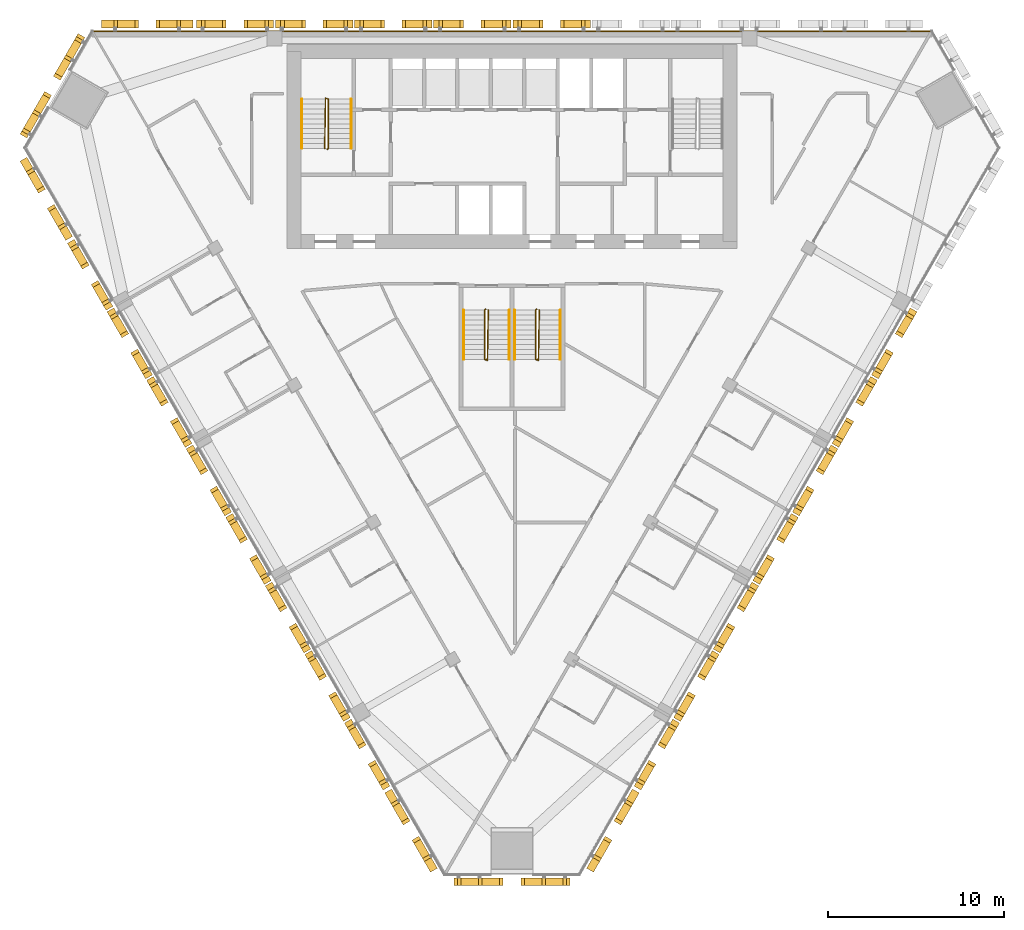
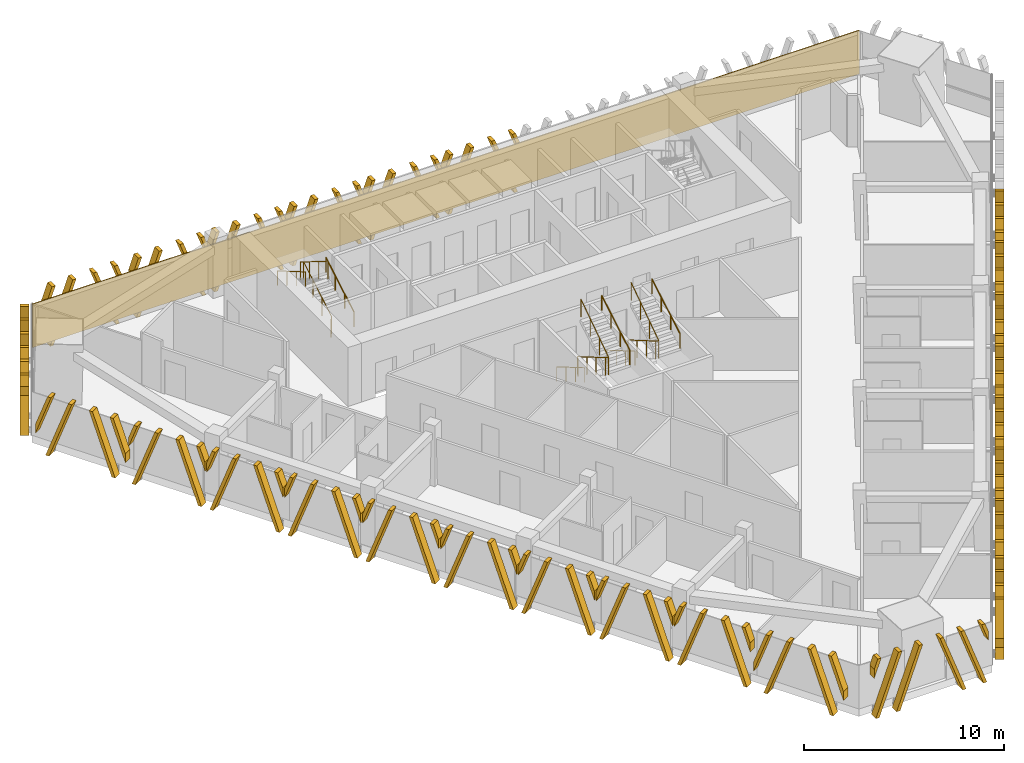
# One storey, part 14 of 16: 26 shading devices, 9 railings, 1 covering.
"""IFC4 building model written with IfcOpenShell, lengths in metres."""

from ifc_helpers import new_model, si_unit, direction, frame, frame_2d, origin, origin_2d, place, context, subcontext, project, spatial, polyline, rectangle, circle, outline, extrude, source, transform, mapped, material, layer, layer_set, type_object, element, save


model = new_model("IFC4")

# Units and contexts
model_context = context("Model", 3, precision=1e-05, world=origin(), true_north=direction((0.0, 1.0)))
body_context = subcontext(model_context, "Body", "Model", "MODEL_VIEW")
ifc_project = project(units=[si_unit("LENGTHUNIT", "METRE"), si_unit("AREAUNIT", "SQUARE_METRE"), si_unit("VOLUMEUNIT", "CUBIC_METRE"), si_unit("PLANEANGLEUNIT", "RADIAN"), si_unit("MASSUNIT", "GRAM", prefix="KILO")], contexts=[model_context])

# Site, building, storey
site_placement = place(None, origin())
site = spatial("IfcSite", under=ifc_project, at=site_placement, CompositionType="ELEMENT")
building_placement = place(site_placement, origin())
building = spatial("IfcBuilding", under=site, at=building_placement, Name="Altiplano Prism Tower", CompositionType="ELEMENT")
storey_placement = place(building_placement, frame((0.0, 0.0, 135.0)))
storey = spatial("IfcBuildingStorey", under=building, at=storey_placement, Name="L34", CompositionType="ELEMENT", Elevation=135.0)

# Railings
ifc_material_1 = material(Name="Steel S355", Category="steel")
railing_type_1 = type_object("IfcRailingType", Name="Stair guard 1100", PredefinedType="GUARDRAIL", material=ifc_material_1)
railing_1_placement = place(storey_placement, frame((74.5, 98.25, 0.0)))
element("IfcRailing", 1, at=railing_1_placement, inside=storey, type_object=railing_type_1, Name="L34 ST1 stair guard 1", PredefinedType="GUARDRAIL", context=body_context, shape_type="SweptSolid", body=[
    extrude(circle(Radius=0.02392578125, at=origin_2d()), frame((0.0, 0.0, 1.076171875), z_axis=(0.280808744504, 0.280808744504, 0.917765164963), x_axis=(-0.707106781187, 0.707106781187, 0.0)), (0.0, 0.0, 1.0), 0.17822265625),
    extrude(circle(Radius=0.02392578125, at=origin_2d()), frame((0.050048828125, 0.050048828125, 1.23974609375), z_axis=(0.0, 0.863360870873, 0.504586966384), x_axis=(-1.0, 0.0, 0.0)), (0.0, 0.0, 1.0), 3.2431640625),
    extrude(circle(Radius=0.02392578125, at=origin_2d()), frame((0.050048828125, 2.85009765625, 2.8759765625), z_axis=(-0.949145278916, 0.314838433982, 0.0), x_axis=(-0.314838433982, -0.949145278916, 0.0)), (0.0, 0.0, 1.0), 0.158203125),
    extrude(circle(Radius=0.02392578125, at=origin_2d()), frame((-0.10009765625, 2.89990234375, 2.8759765625), z_axis=(-0.01477401265, -0.845377694409, 0.533964682676), x_axis=(0.999847325713, -0.01747355902, 0.0)), (0.0, 0.0, 1.0), 3.37109375),
    extrude(circle(Radius=0.02099609375, at=origin_2d()), origin(), (0.0, 0.0, 1.0), 1.052001953125),
    extrude(circle(Radius=0.02099609375, at=origin_2d()), frame((0.050048828125, 0.050048828125, 0.16357421875)), (0.0, 0.0, 1.0), 1.052001953125),
    extrude(circle(Radius=0.02099609375, at=origin_2d()), frame((0.050048828125, 0.9833984375, 0.708984375)), (0.0, 0.0, 1.0), 1.052001953125),
    extrude(circle(Radius=0.02099609375, at=origin_2d()), frame((0.050048828125, 1.916748046875, 1.254638671875)), (0.0, 0.0, 1.0), 1.052001953125),
    extrude(circle(Radius=0.02099609375, at=origin_2d()), frame((0.050048828125, 2.85009765625, 1.800048828125)), (0.0, 0.0, 1.0), 1.052001953125),
    extrude(circle(Radius=0.02099609375, at=origin_2d()), frame((-0.10009765625, 2.89990234375, 1.800048828125)), (0.0, 0.0, 1.0), 1.052001953125),
    extrude(circle(Radius=0.02099609375, at=origin_2d()), frame((-0.11669921875, 1.949951171875, 2.400146484375)), (0.0, 0.0, 1.0), 1.052001953125),
    extrude(circle(Radius=0.02099609375, at=origin_2d()), frame((-0.13330078125, 1.0, 3.0)), (0.0, 0.0, 1.0), 1.052001953125),
    extrude(circle(Radius=0.02099609375, at=origin_2d()), frame((-0.14990234375, 0.050048828125, 3.60009765625)), (0.0, 0.0, 1.0), 1.052001953125),
])
railing_2_placement = place(storey_placement, frame((83.5, 89.14990234375, 0.0)))
element("IfcRailing", 2, at=railing_2_placement, inside=storey, type_object=railing_type_1, Name="L34 ST3A stair guard 1", PredefinedType="GUARDRAIL", context=body_context, shape_type="SweptSolid", body=[
    extrude(circle(Radius=0.02392578125, at=origin_2d()), frame((0.0, 0.0, 1.076171875), z_axis=(-0.280916556609, -0.279546231943, 0.91811752648), x_axis=(0.705375805398, -0.708833529934, 0.0)), (0.0, 0.0, 1.0), 0.17822265625),
    extrude(circle(Radius=0.02392578125, at=origin_2d()), frame((-0.050048828125, -0.0498046875, 1.23974609375), z_axis=(0.0, -0.863360870873, 0.504586966384), x_axis=(1.0, 0.0, 0.0)), (0.0, 0.0, 1.0), 3.2431640625),
    extrude(circle(Radius=0.02392578125, at=origin_2d()), frame((-0.050048828125, -2.849853515625, 2.8759765625), z_axis=(0.948683298051, -0.316227766017, 0.0), x_axis=(0.316227766017, 0.948683298051, 0.0)), (0.0, 0.0, 1.0), 0.158203125),
    extrude(circle(Radius=0.02392578125, at=origin_2d()), frame((0.10009765625, -2.89990234375, 2.8759765625), z_axis=(0.014773108175, 0.84539835705, 0.533931993021), x_axis=(-0.999847351862, 0.017472062685, 0.0)), (0.0, 0.0, 1.0), 3.371337890625),
    extrude(circle(Radius=0.02099609375, at=origin_2d()), origin(), (0.0, 0.0, 1.0), 1.052001953125),
    extrude(circle(Radius=0.02099609375, at=origin_2d()), frame((-0.050048828125, -0.0498046875, 0.16357421875)), (0.0, 0.0, 1.0), 1.052001953125),
    extrude(circle(Radius=0.02099609375, at=origin_2d()), frame((-0.050048828125, -0.983154296875, 0.708984375)), (0.0, 0.0, 1.0), 1.052001953125),
    extrude(circle(Radius=0.02099609375, at=origin_2d()), frame((-0.050048828125, -1.91650390625, 1.254638671875)), (0.0, 0.0, 1.0), 1.052001953125),
    extrude(circle(Radius=0.02099609375, at=origin_2d()), frame((-0.050048828125, -2.849853515625, 1.800048828125)), (0.0, 0.0, 1.0), 1.052001953125),
    extrude(circle(Radius=0.02099609375, at=origin_2d()), frame((0.10009765625, -2.89990234375, 1.800048828125)), (0.0, 0.0, 1.0), 1.052001953125),
    extrude(circle(Radius=0.02099609375, at=origin_2d()), frame((0.11669921875, -1.949951171875, 2.400146484375)), (0.0, 0.0, 1.0), 1.052001953125),
    extrude(circle(Radius=0.02099609375, at=origin_2d()), frame((0.13330078125, -0.999755859375, 3.0)), (0.0, 0.0, 1.0), 1.052001953125),
    extrude(circle(Radius=0.02099609375, at=origin_2d()), frame((0.14990234375, -0.0498046875, 3.60009765625)), (0.0, 0.0, 1.0), 1.052001953125),
])
railing_3_placement = place(storey_placement, frame((86.39990234375, 89.14990234375, 0.0)))
element("IfcRailing", 3, at=railing_3_placement, inside=storey, type_object=railing_type_1, Name="L34 ST3B stair guard 1", PredefinedType="GUARDRAIL", context=body_context, shape_type="SweptSolid", body=[
    extrude(circle(Radius=0.02392578125, at=origin_2d()), frame((0.0, 0.0, 1.076171875), z_axis=(-0.279653641804, -0.279653641804, 0.918470294159), x_axis=(0.707106781187, -0.707106781187, 0.0)), (0.0, 0.0, 1.0), 0.177978515625),
    extrude(circle(Radius=0.02392578125, at=origin_2d()), frame((-0.0498046875, -0.0498046875, 1.23974609375), z_axis=(0.0, -0.863360870873, 0.504586966384), x_axis=(1.0, 0.0, 0.0)), (0.0, 0.0, 1.0), 3.2431640625),
    extrude(circle(Radius=0.02392578125, at=origin_2d()), frame((-0.0498046875, -2.849853515625, 2.8759765625), z_axis=(0.948528701346, -0.316691178788, 0.0), x_axis=(0.316691178788, 0.948528701346, 0.0)), (0.0, 0.0, 1.0), 0.157958984375),
    extrude(circle(Radius=0.02392578125, at=origin_2d()), frame((0.10009765625, -2.89990234375, 2.8759765625), z_axis=(0.014845509451, 0.845397450405, 0.533931420407), x_axis=(-0.999845851991, 0.017557683712, 0.0)), (0.0, 0.0, 1.0), 3.371337890625),
    extrude(circle(Radius=0.02099609375, at=origin_2d()), origin(), (0.0, 0.0, 1.0), 1.052001953125),
    extrude(circle(Radius=0.02099609375, at=origin_2d()), frame((-0.0498046875, -0.0498046875, 0.16357421875)), (0.0, 0.0, 1.0), 1.052001953125),
    extrude(circle(Radius=0.02099609375, at=origin_2d()), frame((-0.0498046875, -0.983154296875, 0.708984375)), (0.0, 0.0, 1.0), 1.052001953125),
    extrude(circle(Radius=0.02099609375, at=origin_2d()), frame((-0.0498046875, -1.91650390625, 1.254638671875)), (0.0, 0.0, 1.0), 1.052001953125),
    extrude(circle(Radius=0.02099609375, at=origin_2d()), frame((-0.0498046875, -2.849853515625, 1.800048828125)), (0.0, 0.0, 1.0), 1.052001953125),
    extrude(circle(Radius=0.02099609375, at=origin_2d()), frame((0.10009765625, -2.89990234375, 1.800048828125)), (0.0, 0.0, 1.0), 1.052001953125),
    extrude(circle(Radius=0.02099609375, at=origin_2d()), frame((0.11669921875, -1.949951171875, 2.400146484375)), (0.0, 0.0, 1.0), 1.052001953125),
    extrude(circle(Radius=0.02099609375, at=origin_2d()), frame((0.133544921875, -0.999755859375, 3.0)), (0.0, 0.0, 1.0), 1.052001953125),
    extrude(circle(Radius=0.02099609375, at=origin_2d()), frame((0.150146484375, -0.0498046875, 3.60009765625)), (0.0, 0.0, 1.0), 1.052001953125),
])
railing_type_2 = type_object("IfcRailingType", Name="Stair handrail 900", PredefinedType="HANDRAIL", material=ifc_material_1)
railing_4_placement = place(storey_placement, frame((75.85009765625, 98.300048828125, 0.16357421875)))
element("IfcRailing", 4, at=railing_4_placement, inside=storey, type_object=railing_type_2, Name="L34 ST1 stair handrail 1", PredefinedType="HANDRAIL", context=body_context, shape_type="SweptSolid", body=[
    extrude(circle(Radius=0.02392578125, at=origin_2d()), frame((0.0, 0.0, 0.8759765625), z_axis=(0.0, 0.863360870873, 0.504586966384), x_axis=(-1.0, 0.0, 0.0)), (0.0, 0.0, 1.0), 3.2431640625),
    extrude(circle(Radius=0.02099609375, at=origin_2d()), origin(), (0.0, 0.0, 1.0), 0.851806640625),
    extrude(circle(Radius=0.02099609375, at=origin_2d()), frame((0.0, 0.933349609375, 0.54541015625)), (0.0, 0.0, 1.0), 0.851806640625),
    extrude(circle(Radius=0.02099609375, at=origin_2d()), frame((0.0, 1.86669921875, 1.091064453125)), (0.0, 0.0, 1.0), 0.851806640625),
    extrude(circle(Radius=0.02099609375, at=origin_2d()), frame((0.0, 2.800048828125, 1.636474609375)), (0.0, 0.0, 1.0), 0.851806640625),
])
for number, where, name in (
    (5, (73.050048828125, 101.10009765625, 1.963623046875), "L34 ST1 stair handrail 2"),
    (6, (82.25, 89.10009765625, 0.16357421875), "L34 ST3A stair handrail 1"),
):
    element("IfcRailing", number, at=place(storey_placement, frame(where)), inside=storey, type_object=railing_type_2, Name=name, PredefinedType="HANDRAIL", context=body_context, shape_type="SweptSolid", body=[
        extrude(circle(Radius=0.02392578125, at=origin_2d()), frame((0.0, 0.0, 0.8759765625), z_axis=(0.0, -0.863360870873, 0.504586966384), x_axis=(1.0, 0.0, 0.0)), (0.0, 0.0, 1.0), 3.2431640625),
        extrude(circle(Radius=0.02099609375, at=origin_2d()), origin(), (0.0, 0.0, 1.0), 0.851806640625),
        extrude(circle(Radius=0.02099609375, at=origin_2d()), frame((0.0, -0.933349609375, 0.54541015625)), (0.0, 0.0, 1.0), 0.851806640625),
        extrude(circle(Radius=0.02099609375, at=origin_2d()), frame((0.0, -1.86669921875, 1.091064453125)), (0.0, 0.0, 1.0), 0.851806640625),
        extrude(circle(Radius=0.02099609375, at=origin_2d()), frame((0.0, -2.800048828125, 1.636474609375)), (0.0, 0.0, 1.0), 0.851806640625),
    ])
railing_5_placement = place(storey_placement, frame((84.85009765625, 86.300048828125, 1.963623046875)))
element("IfcRailing", 7, at=railing_5_placement, inside=storey, type_object=railing_type_2, Name="L34 ST3A stair handrail 2", PredefinedType="HANDRAIL", context=body_context, shape_type="SweptSolid", body=[
    extrude(circle(Radius=0.02392578125, at=origin_2d()), frame((0.0, 0.0, 0.8759765625), z_axis=(0.0, 0.863360870873, 0.504586966384), x_axis=(-1.0, 0.0, 0.0)), (0.0, 0.0, 1.0), 3.2431640625),
    extrude(circle(Radius=0.02099609375, at=origin_2d()), origin(), (0.0, 0.0, 1.0), 0.851806640625),
    extrude(circle(Radius=0.02099609375, at=origin_2d()), frame((0.0, 0.933349609375, 0.54541015625)), (0.0, 0.0, 1.0), 0.851806640625),
    extrude(circle(Radius=0.02099609375, at=origin_2d()), frame((0.0, 1.86669921875, 1.091064453125)), (0.0, 0.0, 1.0), 0.851806640625),
    extrude(circle(Radius=0.02099609375, at=origin_2d()), frame((0.0, 2.800048828125, 1.636474609375)), (0.0, 0.0, 1.0), 0.851806640625),
])
railing_6_placement = place(storey_placement, frame((85.14990234375, 89.10009765625, 0.16357421875)))
element("IfcRailing", 8, at=railing_6_placement, inside=storey, type_object=railing_type_2, Name="L34 ST3B stair handrail 1", PredefinedType="HANDRAIL", context=body_context, shape_type="SweptSolid", body=[
    extrude(circle(Radius=0.02392578125, at=origin_2d()), frame((0.0, 0.0, 0.8759765625), z_axis=(0.0, -0.863360870873, 0.504586966384), x_axis=(1.0, 0.0, 0.0)), (0.0, 0.0, 1.0), 3.2431640625),
    extrude(circle(Radius=0.02099609375, at=origin_2d()), origin(), (0.0, 0.0, 1.0), 0.851806640625),
    extrude(circle(Radius=0.02099609375, at=origin_2d()), frame((0.0, -0.933349609375, 0.54541015625)), (0.0, 0.0, 1.0), 0.851806640625),
    extrude(circle(Radius=0.02099609375, at=origin_2d()), frame((0.0, -1.86669921875, 1.091064453125)), (0.0, 0.0, 1.0), 0.851806640625),
    extrude(circle(Radius=0.02099609375, at=origin_2d()), frame((0.0, -2.800048828125, 1.636474609375)), (0.0, 0.0, 1.0), 0.851806640625),
])
railing_7_placement = place(storey_placement, frame((87.75, 86.300048828125, 1.963623046875)))
element("IfcRailing", 9, at=railing_7_placement, inside=storey, type_object=railing_type_2, Name="L34 ST3B stair handrail 2", PredefinedType="HANDRAIL", context=body_context, shape_type="SweptSolid", body=[
    extrude(circle(Radius=0.02392578125, at=origin_2d()), frame((0.0, 0.0, 0.8759765625), z_axis=(0.0, 0.863360870873, 0.504586966384), x_axis=(-1.0, 0.0, 0.0)), (0.0, 0.0, 1.0), 3.2431640625),
    extrude(circle(Radius=0.02099609375, at=origin_2d()), origin(), (0.0, 0.0, 1.0), 0.851806640625),
    extrude(circle(Radius=0.02099609375, at=origin_2d()), frame((0.0, 0.933349609375, 0.54541015625)), (0.0, 0.0, 1.0), 0.851806640625),
    extrude(circle(Radius=0.02099609375, at=origin_2d()), frame((0.0, 1.86669921875, 1.091064453125)), (0.0, 0.0, 1.0), 0.851806640625),
    extrude(circle(Radius=0.02099609375, at=origin_2d()), frame((0.0, 2.800048828125, 1.636474609375)), (0.0, 0.0, 1.0), 0.851806640625),
])

# Covering
ifc_material_2 = material(Name="Warm limestone cast stone", Category="masonry")
ifc_layer = layer(ifc_material_2, 0.06005859375)
ifc_layer_set = layer_set([ifc_layer], Name="Warm limestone cast stone")
covering_type = type_object("IfcCoveringType", Name="Stone cladding 60", PredefinedType="CLADDING", material=ifc_layer_set)
covering_placement = place(storey_placement, frame((61.1171875, 104.969970703125, 0.0), z_axis=(0.0, 0.0, 1.0), x_axis=(1.0, 0.0, 0.0)))
element("IfcCovering", 10, at=covering_placement, inside=storey, type_object=covering_type, Name="Stone cladding north face L34", PredefinedType="CLADDING", context=body_context, shape_type="SweptSolid", body=[
    extrude(rectangle(XDim=47.765625, YDim=0.06005859375, at=frame_2d((23.8828125, 0.0))), origin(), (0.0, 0.0, 1.0), 2.64990234375),
])

# Shading devices
shading_device_type_1 = type_object("IfcShadingDeviceType", Name="Stone fin panel, standard unit", PredefinedType="USERDEFINED", material=ifc_material_2)
shared_shape_1 = source(origin(), body_context, "Body", "SweptSolid", [
    extrude(outline(polyline([(-2.199951171875, 2.226318359375), (-1.699951171875, 3.60009765625), (-1.89990234375, 3.60009765625), (-2.199951171875, 2.77587890625), (-2.199951171875, 2.226318359375)])), frame((0.0, -0.14990234375, 0.0), z_axis=(0.0, -1.0, 0.0), x_axis=(1.0, 0.0, 0.0)), (0.0, 0.0, 1.0), 0.4501953125),
    extrude(outline(polyline([(-2.01025390625, 0.0), (-1.810302734375, 0.0), (-0.5, 3.60009765625), (-0.699951171875, 3.60009765625), (-2.01025390625, 0.0)])), frame((0.0, -0.14990234375, 0.0), z_axis=(0.0, -1.0, 0.0), x_axis=(1.0, 0.0, 0.0)), (0.0, 0.0, 1.0), 0.4501953125),
    extrude(outline(polyline([(1.810302734375, 0.0), (2.01025390625, 0.0), (0.699951171875, 3.60009765625), (0.5, 3.60009765625), (1.810302734375, 0.0)])), frame((0.0, -0.14990234375, 0.0), z_axis=(0.0, -1.0, 0.0), x_axis=(1.0, 0.0, 0.0)), (0.0, 0.0, 1.0), 0.4501953125),
    extrude(outline(polyline([(2.199951171875, 2.77587890625), (1.89990234375, 3.60009765625), (1.699951171875, 3.60009765625), (2.199951171875, 2.226318359375), (2.199951171875, 2.77587890625)])), frame((0.0, -0.14990234375, 0.0), z_axis=(0.0, -1.0, 0.0), x_axis=(1.0, 0.0, 0.0)), (0.0, 0.0, 1.0), 0.4501953125),
])
shading_device_1_placement = place(storey_placement, origin())
element("IfcShadingDevice", 11, at=shading_device_1_placement, inside=storey, type_object=shading_device_type_1, Name="Fin L34 north face 5", ObjectType="FIN", PredefinedType="USERDEFINED", context=body_context, shape_type="MappedRepresentation", body=[
    mapped(shared_shape_1, transform((87.25, 105.0, -0.449951171875), x_axis=(-1.0, 0.0, 0.0), y_axis=(0.0, -1.0, 0.0), z_axis=(0.0, 0.0, 1.0))),
])
shading_device_2_placement = place(storey_placement, origin())
element("IfcShadingDevice", 12, at=shading_device_2_placement, inside=storey, type_object=shading_device_type_1, Name="Fin L34 north face 6", ObjectType="FIN", PredefinedType="USERDEFINED", context=body_context, shape_type="MappedRepresentation", body=[
    mapped(shared_shape_1, transform((82.75, 105.0, -0.449951171875), x_axis=(-1.0, 0.0, 0.0), y_axis=(0.0, -1.0, 0.0), z_axis=(0.0, 0.0, 1.0))),
])
shading_device_3_placement = place(storey_placement, origin())
element("IfcShadingDevice", 13, at=shading_device_3_placement, inside=storey, type_object=shading_device_type_1, Name="Fin L34 north face 7", ObjectType="FIN", PredefinedType="USERDEFINED", context=body_context, shape_type="MappedRepresentation", body=[
    mapped(shared_shape_1, transform((78.25, 105.0, -0.449951171875), x_axis=(-1.0, 0.0, 0.0), y_axis=(0.0, -1.0, 0.0), z_axis=(0.0, 0.0, 1.0))),
])
shading_device_4_placement = place(storey_placement, origin())
element("IfcShadingDevice", 14, at=shading_device_4_placement, inside=storey, type_object=shading_device_type_1, Name="Fin L34 north face 8", ObjectType="FIN", PredefinedType="USERDEFINED", context=body_context, shape_type="MappedRepresentation", body=[
    mapped(shared_shape_1, transform((73.75, 105.0, -0.449951171875), x_axis=(-1.0, 0.0, 0.0), y_axis=(0.0, -1.0, 0.0), z_axis=(0.0, 0.0, 1.0))),
])
shading_device_5_placement = place(storey_placement, origin())
element("IfcShadingDevice", 15, at=shading_device_5_placement, inside=storey, type_object=shading_device_type_1, Name="Fin L34 north face 9", ObjectType="FIN", PredefinedType="USERDEFINED", context=body_context, shape_type="MappedRepresentation", body=[
    mapped(shared_shape_1, transform((69.25, 105.0, -0.449951171875), x_axis=(-1.0, 0.0, 0.0), y_axis=(0.0, -1.0, 0.0), z_axis=(0.0, 0.0, 1.0))),
])
shading_device_6_placement = place(storey_placement, origin())
element("IfcShadingDevice", 16, at=shading_device_6_placement, inside=storey, type_object=shading_device_type_1, Name="Fin L34 south-west face 2", ObjectType="FIN", PredefinedType="USERDEFINED", context=body_context, shape_type="MappedRepresentation", body=[
    mapped(shared_shape_1, transform((61.338134765625, 91.29638671875, -0.449951171875), x_axis=(0.500000004206, -0.866025401356, 0.0), y_axis=(0.866025401356, 0.500000004206, 0.0), z_axis=(0.0, 0.0, 1.0))),
])
shading_device_7_placement = place(storey_placement, origin())
element("IfcShadingDevice", 17, at=shading_device_7_placement, inside=storey, type_object=shading_device_type_1, Name="Fin L34 south-west face 3", ObjectType="FIN", PredefinedType="USERDEFINED", context=body_context, shape_type="MappedRepresentation", body=[
    mapped(shared_shape_1, transform((63.588134765625, 87.399169921875, -0.449951171875), x_axis=(0.500000004206, -0.866025401356, 0.0), y_axis=(0.866025401356, 0.500000004206, 0.0), z_axis=(0.0, 0.0, 1.0))),
])
shading_device_8_placement = place(storey_placement, origin())
element("IfcShadingDevice", 18, at=shading_device_8_placement, inside=storey, type_object=shading_device_type_1, Name="Fin L34 south-west face 4", ObjectType="FIN", PredefinedType="USERDEFINED", context=body_context, shape_type="MappedRepresentation", body=[
    mapped(shared_shape_1, transform((65.838134765625, 83.501953125, -0.449951171875), x_axis=(0.500000004206, -0.866025401356, 0.0), y_axis=(0.866025401356, 0.500000004206, 0.0), z_axis=(0.0, 0.0, 1.0))),
])
shading_device_9_placement = place(storey_placement, origin())
element("IfcShadingDevice", 19, at=shading_device_9_placement, inside=storey, type_object=shading_device_type_1, Name="Fin L34 south-west face 5", ObjectType="FIN", PredefinedType="USERDEFINED", context=body_context, shape_type="MappedRepresentation", body=[
    mapped(shared_shape_1, transform((68.088134765625, 79.60498046875, -0.449951171875), x_axis=(0.500000004206, -0.866025401356, 0.0), y_axis=(0.866025401356, 0.500000004206, 0.0), z_axis=(0.0, 0.0, 1.0))),
])
shading_device_10_placement = place(storey_placement, origin())
element("IfcShadingDevice", 20, at=shading_device_10_placement, inside=storey, type_object=shading_device_type_1, Name="Fin L34 south-west face 6", ObjectType="FIN", PredefinedType="USERDEFINED", context=body_context, shape_type="MappedRepresentation", body=[
    mapped(shared_shape_1, transform((70.338134765625, 75.707763671875, -0.449951171875), x_axis=(0.500000004206, -0.866025401356, 0.0), y_axis=(0.866025401356, 0.500000004206, 0.0), z_axis=(0.0, 0.0, 1.0))),
])
shading_device_11_placement = place(storey_placement, origin())
element("IfcShadingDevice", 21, at=shading_device_11_placement, inside=storey, type_object=shading_device_type_1, Name="Fin L34 south-west face 7", ObjectType="FIN", PredefinedType="USERDEFINED", context=body_context, shape_type="MappedRepresentation", body=[
    mapped(shared_shape_1, transform((72.588134765625, 71.810791015625, -0.449951171875), x_axis=(0.500000004206, -0.866025401356, 0.0), y_axis=(0.866025401356, 0.500000004206, 0.0), z_axis=(0.0, 0.0, 1.0))),
])
shading_device_12_placement = place(storey_placement, origin())
element("IfcShadingDevice", 22, at=shading_device_12_placement, inside=storey, type_object=shading_device_type_1, Name="Fin L34 south-west face 8", ObjectType="FIN", PredefinedType="USERDEFINED", context=body_context, shape_type="MappedRepresentation", body=[
    mapped(shared_shape_1, transform((74.838134765625, 67.91357421875, -0.449951171875), x_axis=(0.500000004206, -0.866025401356, 0.0), y_axis=(0.866025401356, 0.500000004206, 0.0), z_axis=(0.0, 0.0, 1.0))),
])
shading_device_13_placement = place(storey_placement, origin())
element("IfcShadingDevice", 23, at=shading_device_13_placement, inside=storey, type_object=shading_device_type_1, Name="Fin L34 south-west face 9", ObjectType="FIN", PredefinedType="USERDEFINED", context=body_context, shape_type="MappedRepresentation", body=[
    mapped(shared_shape_1, transform((77.088134765625, 64.0166015625, -0.449951171875), x_axis=(0.500000004206, -0.866025401356, 0.0), y_axis=(0.866025401356, 0.500000004206, 0.0), z_axis=(0.0, 0.0, 1.0))),
])
shading_device_14_placement = place(storey_placement, origin())
element("IfcShadingDevice", 24, at=shading_device_14_placement, inside=storey, type_object=shading_device_type_1, Name="Fin L34 south-east face 2", ObjectType="FIN", PredefinedType="USERDEFINED", context=body_context, shape_type="MappedRepresentation", body=[
    mapped(shared_shape_1, transform((92.911865234375, 64.0166015625, -0.449951171875), x_axis=(0.500000004206, 0.866025401356, 0.0), y_axis=(-0.866025401356, 0.500000004206, 0.0), z_axis=(0.0, 0.0, 1.0))),
])
shading_device_15_placement = place(storey_placement, origin())
element("IfcShadingDevice", 25, at=shading_device_15_placement, inside=storey, type_object=shading_device_type_1, Name="Fin L34 south-east face 3", ObjectType="FIN", PredefinedType="USERDEFINED", context=body_context, shape_type="MappedRepresentation", body=[
    mapped(shared_shape_1, transform((95.161865234375, 67.91357421875, -0.449951171875), x_axis=(0.500000004206, 0.866025401356, 0.0), y_axis=(-0.866025401356, 0.500000004206, 0.0), z_axis=(0.0, 0.0, 1.0))),
])
shading_device_16_placement = place(storey_placement, origin())
element("IfcShadingDevice", 26, at=shading_device_16_placement, inside=storey, type_object=shading_device_type_1, Name="Fin L34 south-east face 4", ObjectType="FIN", PredefinedType="USERDEFINED", context=body_context, shape_type="MappedRepresentation", body=[
    mapped(shared_shape_1, transform((97.411865234375, 71.810791015625, -0.449951171875), x_axis=(0.500000004206, 0.866025401356, 0.0), y_axis=(-0.866025401356, 0.500000004206, 0.0), z_axis=(0.0, 0.0, 1.0))),
])
shading_device_17_placement = place(storey_placement, origin())
element("IfcShadingDevice", 27, at=shading_device_17_placement, inside=storey, type_object=shading_device_type_1, Name="Fin L34 south-east face 5", ObjectType="FIN", PredefinedType="USERDEFINED", context=body_context, shape_type="MappedRepresentation", body=[
    mapped(shared_shape_1, transform((99.661865234375, 75.707763671875, -0.449951171875), x_axis=(0.500000004206, 0.866025401356, 0.0), y_axis=(-0.866025401356, 0.500000004206, 0.0), z_axis=(0.0, 0.0, 1.0))),
])
shading_device_18_placement = place(storey_placement, origin())
element("IfcShadingDevice", 28, at=shading_device_18_placement, inside=storey, type_object=shading_device_type_1, Name="Fin L34 south-east face 6", ObjectType="FIN", PredefinedType="USERDEFINED", context=body_context, shape_type="MappedRepresentation", body=[
    mapped(shared_shape_1, transform((101.911865234375, 79.60498046875, -0.449951171875), x_axis=(0.500000004206, 0.866025401356, 0.0), y_axis=(-0.866025401356, 0.500000004206, 0.0), z_axis=(0.0, 0.0, 1.0))),
])
shading_device_19_placement = place(storey_placement, origin())
element("IfcShadingDevice", 29, at=shading_device_19_placement, inside=storey, type_object=shading_device_type_1, Name="Fin L34 south-east face 7", ObjectType="FIN", PredefinedType="USERDEFINED", context=body_context, shape_type="MappedRepresentation", body=[
    mapped(shared_shape_1, transform((104.161865234375, 83.501953125, -0.449951171875), x_axis=(0.500000004206, 0.866025401356, 0.0), y_axis=(-0.866025401356, 0.500000004206, 0.0), z_axis=(0.0, 0.0, 1.0))),
])
shading_device_20_placement = place(storey_placement, origin())
element("IfcShadingDevice", 30, at=shading_device_20_placement, inside=storey, type_object=shading_device_type_1, Name="Fin L34 south-east face 8", ObjectType="FIN", PredefinedType="USERDEFINED", context=body_context, shape_type="MappedRepresentation", body=[
    mapped(shared_shape_1, transform((106.411865234375, 87.399169921875, -0.449951171875), x_axis=(0.500000004206, 0.866025401356, 0.0), y_axis=(-0.866025401356, 0.500000004206, 0.0), z_axis=(0.0, 0.0, 1.0))),
])
shading_device_type_2 = type_object("IfcShadingDeviceType", Name="Stone fin panel, wide closing bay", PredefinedType="USERDEFINED", material=ifc_material_2)
shared_shape_2 = source(origin(), body_context, "Body", "SweptSolid", [
    extrude(outline(polyline([(-2.60009765625, 1.127197265625), (-1.699951171875, 3.60009765625), (-1.89990234375, 3.60009765625), (-2.60009765625, 1.6767578125), (-2.60009765625, 1.127197265625)])), frame((0.0, -0.14990234375, 0.0), z_axis=(0.0, -1.0, 0.0), x_axis=(1.0, 0.0, 0.0)), (0.0, 0.0, 1.0), 0.4501953125),
    extrude(outline(polyline([(-2.01025390625, 0.0), (-1.810302734375, 0.0), (-0.5, 3.60009765625), (-0.699951171875, 3.60009765625), (-2.01025390625, 0.0)])), frame((0.0, -0.14990234375, 0.0), z_axis=(0.0, -1.0, 0.0), x_axis=(1.0, 0.0, 0.0)), (0.0, 0.0, 1.0), 0.4501953125),
    extrude(outline(polyline([(1.810302734375, 0.0), (2.01025390625, 0.0), (0.699951171875, 3.60009765625), (0.5, 3.60009765625), (1.810302734375, 0.0)])), frame((0.0, -0.14990234375, 0.0), z_axis=(0.0, -1.0, 0.0), x_axis=(1.0, 0.0, 0.0)), (0.0, 0.0, 1.0), 0.4501953125),
    extrude(outline(polyline([(2.60009765625, 1.6767578125), (1.89990234375, 3.60009765625), (1.699951171875, 3.60009765625), (2.60009765625, 1.127197265625), (2.60009765625, 1.6767578125)])), frame((0.0, -0.14990234375, 0.0), z_axis=(0.0, -1.0, 0.0), x_axis=(1.0, 0.0, 0.0)), (0.0, 0.0, 1.0), 0.4501953125),
])
shading_device_21_placement = place(storey_placement, origin())
element("IfcShadingDevice", 31, at=shading_device_21_placement, inside=storey, type_object=shading_device_type_2, Name="Fin L34 north face 10", ObjectType="FIN", PredefinedType="USERDEFINED", context=body_context, shape_type="MappedRepresentation", body=[
    mapped(shared_shape_2, transform((64.258544921875, 105.0, -0.449951171875), x_axis=(-1.0, 0.0, 0.0), y_axis=(0.0, -1.0, 0.0), z_axis=(0.0, 0.0, 1.0))),
])
shading_device_22_placement = place(storey_placement, origin())
element("IfcShadingDevice", 32, at=shading_device_22_placement, inside=storey, type_object=shading_device_type_2, Name="Fin L34 south-west face 1", ObjectType="FIN", PredefinedType="USERDEFINED", context=body_context, shape_type="MappedRepresentation", body=[
    mapped(shared_shape_2, transform((58.842529296875, 95.618896484375, -0.449951171875), x_axis=(0.500000004206, -0.866025401356, 0.0), y_axis=(0.866025401356, 0.500000004206, 0.0), z_axis=(0.0, 0.0, 1.0))),
])
shading_device_23_placement = place(storey_placement, origin())
element("IfcShadingDevice", 33, at=shading_device_23_placement, inside=storey, type_object=shading_device_type_2, Name="Fin L34 south-west face 10", ObjectType="FIN", PredefinedType="USERDEFINED", context=body_context, shape_type="MappedRepresentation", body=[
    mapped(shared_shape_2, transform((79.583740234375, 59.69384765625, -0.449951171875), x_axis=(0.500000004206, -0.866025401356, 0.0), y_axis=(0.866025401356, 0.500000004206, 0.0), z_axis=(0.0, 0.0, 1.0))),
])
shading_device_24_placement = place(storey_placement, origin())
element("IfcShadingDevice", 34, at=shading_device_24_placement, inside=storey, type_object=shading_device_type_2, Name="Fin L34 south-east face 1", ObjectType="FIN", PredefinedType="USERDEFINED", context=body_context, shape_type="MappedRepresentation", body=[
    mapped(shared_shape_2, transform((90.416259765625, 59.69384765625, -0.449951171875), x_axis=(0.500000004206, 0.866025401356, 0.0), y_axis=(-0.866025401356, 0.500000004206, 0.0), z_axis=(0.0, 0.0, 1.0))),
])
shading_device_type_3 = type_object("IfcShadingDeviceType", Name="Stone fin panel, chamfer unit", PredefinedType="USERDEFINED", material=ifc_material_2)
shared_shape_3 = source(origin(), body_context, "Body", "SweptSolid", [
    extrude(outline(polyline([(-3.300048828125, 2.5009765625), (-2.89990234375, 3.60009765625), (-3.10009765625, 3.60009765625), (-3.300048828125, 3.050537109375), (-3.300048828125, 2.5009765625)])), frame((0.0, -0.14990234375, 0.0), z_axis=(0.0, -1.0, 0.0), x_axis=(1.0, 0.0, 0.0)), (0.0, 0.0, 1.0), 0.4501953125),
    extrude(outline(polyline([(-3.210205078125, 0.0), (-3.01025390625, 0.0), (-1.699951171875, 3.60009765625), (-1.89990234375, 3.60009765625), (-3.210205078125, 0.0)])), frame((0.0, -0.14990234375, 0.0), z_axis=(0.0, -1.0, 0.0), x_axis=(1.0, 0.0, 0.0)), (0.0, 0.0, 1.0), 0.4501953125),
    extrude(outline(polyline([(-2.01025390625, 0.0), (-1.810302734375, 0.0), (-0.5, 3.60009765625), (-0.699951171875, 3.60009765625), (-2.01025390625, 0.0)])), frame((0.0, -0.14990234375, 0.0), z_axis=(0.0, -1.0, 0.0), x_axis=(1.0, 0.0, 0.0)), (0.0, 0.0, 1.0), 0.4501953125),
    extrude(outline(polyline([(1.810302734375, 0.0), (2.01025390625, 0.0), (0.699951171875, 3.60009765625), (0.5, 3.60009765625), (1.810302734375, 0.0)])), frame((0.0, -0.14990234375, 0.0), z_axis=(0.0, -1.0, 0.0), x_axis=(1.0, 0.0, 0.0)), (0.0, 0.0, 1.0), 0.4501953125),
    extrude(outline(polyline([(3.01025390625, 0.0), (3.210205078125, 0.0), (1.89990234375, 3.60009765625), (1.699951171875, 3.60009765625), (3.01025390625, 0.0)])), frame((0.0, -0.14990234375, 0.0), z_axis=(0.0, -1.0, 0.0), x_axis=(1.0, 0.0, 0.0)), (0.0, 0.0, 1.0), 0.4501953125),
    extrude(outline(polyline([(3.300048828125, 3.050537109375), (3.10009765625, 3.60009765625), (2.89990234375, 3.60009765625), (3.300048828125, 2.5009765625), (3.300048828125, 3.050537109375)])), frame((0.0, -0.14990234375, 0.0), z_axis=(0.0, -1.0, 0.0), x_axis=(1.0, 0.0, 0.0)), (0.0, 0.0, 1.0), 0.4501953125),
])
shading_device_25_placement = place(storey_placement, origin())
element("IfcShadingDevice", 35, at=shading_device_25_placement, inside=storey, type_object=shading_device_type_3, Name="Fin L34 north-west chamfer 1", ObjectType="FIN", PredefinedType="USERDEFINED", context=body_context, shape_type="MappedRepresentation", body=[
    mapped(shared_shape_3, transform((59.194580078125, 101.669677734375, -0.449951171875), x_axis=(-0.500000003023, -0.866025402039, 0.0), y_axis=(0.866025402039, -0.500000003023, 0.0), z_axis=(0.0, 0.0, 1.0))),
])
shading_device_26_placement = place(storey_placement, origin())
element("IfcShadingDevice", 36, at=shading_device_26_placement, inside=storey, type_object=shading_device_type_3, Name="Fin L34 south chamfer 1", ObjectType="FIN", PredefinedType="USERDEFINED", context=body_context, shape_type="MappedRepresentation", body=[
    mapped(shared_shape_3, transform((85.0, 56.973388671875, -0.449951171875), x_axis=(1.0, 0.0, 0.0), y_axis=(0.0, 1.0, 0.0), z_axis=(0.0, 0.0, 1.0))),
])

save(model, "model.ifc")
